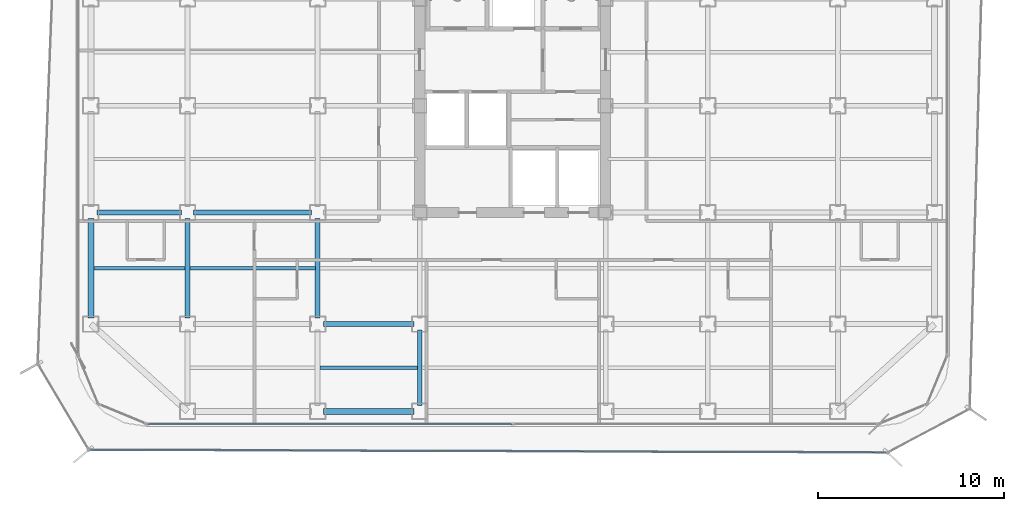
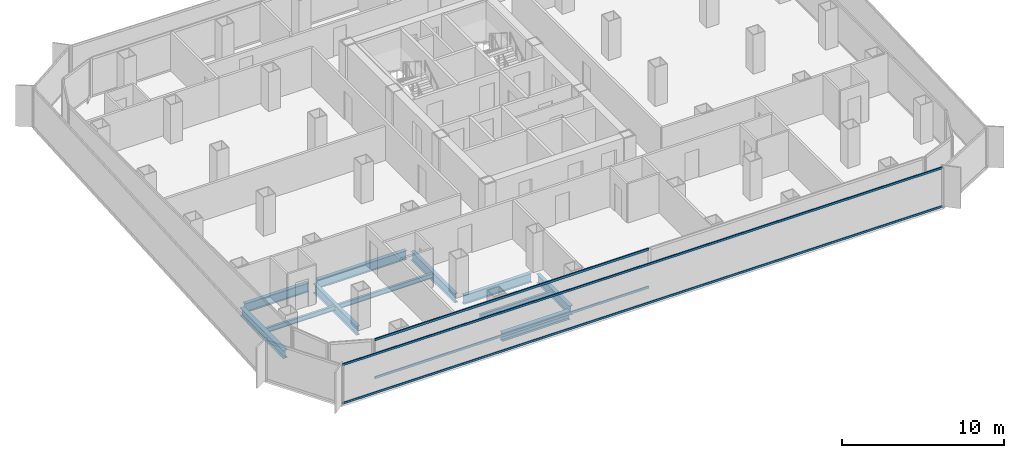
# One storey, part 3 of 21: 11 beams, 4 members, 2 elements without a shape of their own.
"""IFC4 building model written with IfcOpenShell, lengths in metres."""

from ifc_helpers import new_model, si_unit, direction, frame, origin, origin_2d, place, context, subcontext, project, spatial, hollow_rectangle, i_section, extrude, source, transform, mapped, material, layer, layer_set, material_profile, profile_set, type_object, element, aggregate, save


model = new_model("IFC4")

# Units and contexts
model_context = context("Model", 3, precision=1e-05, world=origin(), true_north=direction((0.0, 1.0)))
body_context = subcontext(model_context, "Body", "Model", "MODEL_VIEW")
ifc_project = project(units=[si_unit("LENGTHUNIT", "METRE"), si_unit("AREAUNIT", "SQUARE_METRE"), si_unit("VOLUMEUNIT", "CUBIC_METRE"), si_unit("PLANEANGLEUNIT", "RADIAN"), si_unit("MASSUNIT", "GRAM", prefix="KILO")], contexts=[model_context])

# Site, building, storey
site_placement = place(None, origin())
site = spatial("IfcSite", under=ifc_project, at=site_placement, CompositionType="ELEMENT")
building_placement = place(site_placement, origin())
building = spatial("IfcBuilding", under=site, at=building_placement, Name="Kolveth Station Tower", CompositionType="ELEMENT")
storey_placement = place(building_placement, frame((0.0, 0.0, 124.699951171875)))
storey = spatial("IfcBuildingStorey", under=building, at=storey_placement, Name="L34", CompositionType="ELEMENT", Elevation=124.699951171875)

# Beams
ifc_material_1 = material(Name="Steel S355", Category="steel")
ifc_material_profile_1 = material_profile(ifc_material_1, i_section(OverallWidth=0.323974609375, OverallDepth=0.611083984375, WebThickness=0.0126953125, FlangeThickness=0.01904296875, at=origin_2d()), Name="W610x155")
ifc_profile_set_1 = profile_set([ifc_material_profile_1], Name="Steel S355")
beam_type_1 = type_object("IfcBeamType", Name="Beam_SP2", PredefinedType="SPANDREL", material=ifc_profile_set_1)
shared_shape_1 = source(origin(), body_context, "Body", "SweptSolid", [
    extrude(i_section(OverallWidth=0.323974609375, OverallDepth=0.611083984375, WebThickness=0.0126953125, FlangeThickness=0.01904296875, at=origin_2d()), origin(), (0.0, 0.0, 1.0), 4.85986328125),
])
beam_1_placement = place(storey_placement, frame((13.320068359375, 0.800048828125, -0.555419921875), z_axis=(1.0, 0.0, 0.0), x_axis=(0.0, 1.0, 0.0)))
element("IfcBeam", 1, at=beam_1_placement, inside=storey, type_object=beam_type_1, Name="L34 Perimeter Spandrel BM-L34-PS-2", PredefinedType="SPANDREL", context=body_context, shape_type="MappedRepresentation", body=[
    mapped(shared_shape_1, transform((0.0, 0.0, 0.0), x_axis=(1.0, 0.0, 0.0), y_axis=(0.0, 1.0, 0.0), z_axis=(0.0, 0.0, 1.0), scale=1.0)),
])
shared_shape_2 = source(origin(), body_context, "Body", "SweptSolid", [
    extrude(i_section(OverallWidth=0.323974609375, OverallDepth=0.611083984375, WebThickness=0.0126953125, FlangeThickness=0.01904296875, at=origin_2d()), origin(), (0.0, 0.0, 1.0), 5.35986328125),
])
beam_2_placement = place(storey_placement, frame((0.800048828125, 5.820068359375, -0.555419921875), z_axis=(0.0, 1.0, 0.0), x_axis=(-1.0, 0.0, 0.0)))
element("IfcBeam", 2, at=beam_2_placement, inside=storey, type_object=beam_type_1, Name="L34 Perimeter Spandrel BM-L34-PW-1", PredefinedType="SPANDREL", context=body_context, shape_type="MappedRepresentation", body=[
    mapped(shared_shape_2, transform((0.0, 0.0, 0.0), x_axis=(1.0, 0.0, 0.0), y_axis=(0.0, 1.0, 0.0), z_axis=(0.0, 0.0, 1.0), scale=1.0)),
])
ifc_material_profile_2 = material_profile(ifc_material_1, i_section(OverallWidth=0.25390625, OverallDepth=0.68798828125, WebThickness=0.01318359375, FlangeThickness=0.02099609375, at=origin_2d()), Name="W690x152")
ifc_profile_set_2 = profile_set([ifc_material_profile_2], Name="Steel S355")
beam_type_2 = type_object("IfcBeamType", Name="Beam_B4", PredefinedType="BEAM", material=ifc_profile_set_2)
shared_shape_3 = source(origin(), body_context, "Body", "SweptSolid", [
    extrude(i_section(OverallWidth=0.25390625, OverallDepth=0.68798828125, WebThickness=0.01318359375, FlangeThickness=0.02099609375, at=origin_2d()), origin(), (0.0, 0.0, 1.0), 4.559814453125),
])
beam_3_placement = place(storey_placement, frame((1.1201171875, 11.5, -0.593994140625), z_axis=(1.0, 0.0, 0.0), x_axis=(0.0, 1.0, 0.0)))
element("IfcBeam", 3, at=beam_3_placement, inside=storey, type_object=beam_type_2, Name="L34 Primary Girder BM-L34-GY115-1", PredefinedType="BEAM", context=body_context, shape_type="MappedRepresentation", body=[
    mapped(shared_shape_3, transform((0.0, 0.0, 0.0), x_axis=(1.0, 0.0, 0.0), y_axis=(0.0, 1.0, 0.0), z_axis=(0.0, 0.0, 1.0), scale=1.0)),
])
shared_shape_4 = source(origin(), body_context, "Body", "SweptSolid", [
    extrude(i_section(OverallWidth=0.25390625, OverallDepth=0.68798828125, WebThickness=0.01318359375, FlangeThickness=0.02099609375, at=origin_2d()), origin(), (0.0, 0.0, 1.0), 6.35986328125),
])
beam_4_placement = place(storey_placement, frame((6.320068359375, 11.5, -0.593994140625), z_axis=(1.0, 0.0, 0.0), x_axis=(0.0, 1.0, 0.0)))
element("IfcBeam", 4, at=beam_4_placement, inside=storey, type_object=beam_type_2, Name="L34 Primary Girder BM-L34-GY115-2", PredefinedType="BEAM", context=body_context, shape_type="MappedRepresentation", body=[
    mapped(shared_shape_4, transform((0.0, 0.0, 0.0), x_axis=(1.0, 0.0, 0.0), y_axis=(0.0, 1.0, 0.0), z_axis=(0.0, 0.0, 1.0), scale=1.0)),
])
shared_shape_5 = source(origin(), body_context, "Body", "SweptSolid", [
    extrude(i_section(OverallWidth=0.25390625, OverallDepth=0.68798828125, WebThickness=0.01318359375, FlangeThickness=0.02099609375, at=origin_2d()), origin(), (0.0, 0.0, 1.0), 4.85986328125),
])
beam_5_placement = place(storey_placement, frame((13.320068359375, 5.5, -0.593994140625), z_axis=(1.0, 0.0, 0.0), x_axis=(0.0, 1.0, 0.0)))
element("IfcBeam", 5, at=beam_5_placement, inside=storey, type_object=beam_type_2, Name="L34 Primary Girder BM-L34-GY55-3", PredefinedType="BEAM", context=body_context, shape_type="MappedRepresentation", body=[
    mapped(shared_shape_5, transform((0.0, 0.0, 0.0), x_axis=(1.0, 0.0, 0.0), y_axis=(0.0, 1.0, 0.0), z_axis=(0.0, 0.0, 1.0), scale=1.0)),
])
shared_shape_6 = source(origin(), body_context, "Body", "SweptSolid", [
    extrude(i_section(OverallWidth=0.25390625, OverallDepth=0.68798828125, WebThickness=0.01318359375, FlangeThickness=0.02099609375, at=origin_2d()), origin(), (0.0, 0.0, 1.0), 4.059814453125),
])
beam_6_placement = place(storey_placement, frame((18.5, 1.1201171875, -0.593994140625), z_axis=(0.0, 1.0, 0.0), x_axis=(-1.0, 0.0, 0.0)))
element("IfcBeam", 6, at=beam_6_placement, inside=storey, type_object=beam_type_2, Name="L34 Primary Girder BM-L34-GX185-1", PredefinedType="BEAM", context=body_context, shape_type="MappedRepresentation", body=[
    mapped(shared_shape_6, transform((0.0, 0.0, 0.0), x_axis=(1.0, 0.0, 0.0), y_axis=(0.0, 1.0, 0.0), z_axis=(0.0, 0.0, 1.0), scale=1.0)),
])
shared_shape_7 = source(origin(), body_context, "Body", "SweptSolid", [
    extrude(i_section(OverallWidth=0.25390625, OverallDepth=0.68798828125, WebThickness=0.01318359375, FlangeThickness=0.02099609375, at=origin_2d()), origin(), (0.0, 0.0, 1.0), 5.35986328125),
])
for number, where, z_axis, x_axis, name in (
    (7, (6.0, 5.820068359375, -0.593994140625), (0.0, 1.0, 0.0), (-1.0, 0.0, 0.0), "L34 Primary Girder BM-L34-GX60-2"),
    (8, (13.0, 5.820068359375, -0.593994140625), (0.0, 1.0, 0.0), (-1.0, 0.0, 0.0), "L34 Primary Girder BM-L34-GX130-2"),
):
    element("IfcBeam", number, at=place(storey_placement, frame(where, z_axis=z_axis, x_axis=x_axis)), inside=storey, type_object=beam_type_2, Name=name, PredefinedType="BEAM", context=body_context, shape_type="MappedRepresentation", body=[
        mapped(shared_shape_7, transform((0.0, 0.0, 0.0), x_axis=(1.0, 0.0, 0.0), y_axis=(0.0, 1.0, 0.0), z_axis=(0.0, 0.0, 1.0), scale=1.0)),
    ])
ifc_material_profile_3 = material_profile(ifc_material_1, i_section(OverallWidth=0.1708984375, OverallDepth=0.35205078125, WebThickness=0.0068359375, FlangeThickness=0.009765625, at=origin_2d()), Name="W360x44")
ifc_profile_set_3 = profile_set([ifc_material_profile_3], Name="Steel S355")
beam_type_3 = type_object("IfcBeamType", Name="Beam_J2", PredefinedType="JOIST", material=ifc_profile_set_3)
shared_shape_8 = source(origin(), body_context, "Body", "SweptSolid", [
    extrude(i_section(OverallWidth=0.1708984375, OverallDepth=0.35205078125, WebThickness=0.0068359375, FlangeThickness=0.009765625, at=origin_2d()), origin(), (0.0, 0.0, 1.0), 4.9150390625),
])
beam_7_placement = place(storey_placement, frame((0.9599609375, 8.5, -0.426025390625), z_axis=(1.0, 0.0, 0.0), x_axis=(0.0, 1.0, 0.0)))
element("IfcBeam", 9, at=beam_7_placement, inside=storey, type_object=beam_type_3, Name="L34 Secondary Joist JST-L34-1-2", PredefinedType="JOIST", context=body_context, shape_type="MappedRepresentation", body=[
    mapped(shared_shape_8, transform((0.0, 0.0, 0.0), x_axis=(1.0, 0.0, 0.0), y_axis=(0.0, 1.0, 0.0), z_axis=(0.0, 0.0, 1.0), scale=1.0)),
])
shared_shape_9 = source(origin(), body_context, "Body", "SweptSolid", [
    extrude(i_section(OverallWidth=0.1708984375, OverallDepth=0.35205078125, WebThickness=0.0068359375, FlangeThickness=0.009765625, at=origin_2d()), origin(), (0.0, 0.0, 1.0), 6.75),
])
beam_8_placement = place(storey_placement, frame((6.125, 8.5, -0.426025390625), z_axis=(1.0, 0.0, 0.0), x_axis=(0.0, 1.0, 0.0)))
element("IfcBeam", 10, at=beam_8_placement, inside=storey, type_object=beam_type_3, Name="L34 Secondary Joist JST-L34-2-2", PredefinedType="JOIST", context=body_context, shape_type="MappedRepresentation", body=[
    mapped(shared_shape_9, transform((0.0, 0.0, 0.0), x_axis=(1.0, 0.0, 0.0), y_axis=(0.0, 1.0, 0.0), z_axis=(0.0, 0.0, 1.0), scale=1.0)),
])
shared_shape_10 = source(origin(), body_context, "Body", "SweptSolid", [
    extrude(i_section(OverallWidth=0.1708984375, OverallDepth=0.35205078125, WebThickness=0.0068359375, FlangeThickness=0.009765625, at=origin_2d()), origin(), (0.0, 0.0, 1.0), 5.25),
])
beam_9_placement = place(storey_placement, frame((13.125, 3.14990234375, -0.426025390625), z_axis=(1.0, 0.0, 0.0), x_axis=(0.0, 1.0, 0.0)))
element("IfcBeam", 11, at=beam_9_placement, inside=storey, type_object=beam_type_3, Name="L34 Secondary Joist JST-L34-3-1", PredefinedType="JOIST", context=body_context, shape_type="MappedRepresentation", body=[
    mapped(shared_shape_10, transform((0.0, 0.0, 0.0), x_axis=(1.0, 0.0, 0.0), y_axis=(0.0, 1.0, 0.0), z_axis=(0.0, 0.0, 1.0), scale=1.0)),
])

# Curtain wall, members
ifc_material_2 = material(Name="Black anodized aluminium 6063-T6 and dark solar glass", Category="aluminium")
ifc_layer_1 = layer(ifc_material_2, 0.159912109375)
ifc_layer_set_1 = layer_set([ifc_layer_1], Name="Black anodized aluminium 6063-T6 and dark solar glass")
curtain_wall_type_1 = type_object("IfcCurtainWallType", Name="OUTER SKIN CW-OS", PredefinedType="NOTDEFINED", material=ifc_layer_set_1)
curtain_wall_1_placement = place(storey_placement, origin())
curtain_wall_1 = element("IfcCurtainWall", 12, at=curtain_wall_1_placement, inside=storey, type_object=curtain_wall_type_1, Name="L34 Outer Ventilated Skin Curtain Wall 8", PredefinedType="NOTDEFINED")
ifc_material_3 = material(Name="Black anodized aluminium 6063-T6", Category="aluminium")
ifc_material_profile_4 = material_profile(ifc_material_3, hollow_rectangle(XDim=0.080078125, YDim=0.14990234375, WallThickness=0.0048828125, at=origin_2d()), Name="ALU-80x150x5")
ifc_profile_set_4 = profile_set([ifc_material_profile_4], Name="Black anodized aluminium 6063-T6")
member_type_1 = type_object("IfcMemberType", Name="Transom_TR-OS", PredefinedType="USERDEFINED", material=ifc_profile_set_4)
shared_shape_11 = source(origin(), body_context, "Body", "SweptSolid", [
    extrude(hollow_rectangle(XDim=0.080078125, YDim=0.14990234375, WallThickness=0.0048828125, at=origin_2d()), origin(), (0.0, 0.0, 1.0), 42.799072265625),
])
member_1_placement = place(storey_placement, frame((0.783935546875, -1.267333984375, 0.0400390625), z_axis=(0.999994103755, -0.003434014343, 0.0), x_axis=(0.003434014343, 0.999994103755, 0.0)))
member_1 = element("IfcMember", 13, at=member_1_placement, type_object=member_type_1, Name="CW-OS transom 1.1", ObjectType="TRANSOM", PredefinedType="USERDEFINED", context=body_context, shape_type="MappedRepresentation", body=[
    mapped(shared_shape_11, transform((0.0, 0.0, 0.0), x_axis=(1.0, 0.0, 0.0), y_axis=(0.0, 1.0, 0.0), z_axis=(0.0, 0.0, 1.0), scale=1.0)),
])
member_2_placement = place(storey_placement, frame((0.783935546875, -1.267333984375, 2.949951171875), z_axis=(0.999994103755, -0.003434014343, 0.0), x_axis=(0.003434014343, 0.999994103755, 0.0)))
member_2 = element("IfcMember", 14, at=member_2_placement, type_object=member_type_1, Name="CW-OS transom 1.2", ObjectType="TRANSOM", PredefinedType="USERDEFINED", context=body_context, shape_type="MappedRepresentation", body=[
    mapped(shared_shape_11, transform((0.0, 0.0, 0.0), x_axis=(1.0, 0.0, 0.0), y_axis=(0.0, 1.0, 0.0), z_axis=(0.0, 0.0, 1.0), scale=1.0)),
])
aggregate(curtain_wall_1, [member_1, member_2])

ifc_material_4 = material(Name="Aluminium 6063-T6 and low-E dark glass", Category="aluminium")
ifc_layer_2 = layer(ifc_material_4, 0.18994140625)
ifc_layer_set_2 = layer_set([ifc_layer_2], Name="Aluminium 6063-T6 and low-E dark glass")
curtain_wall_type_2 = type_object("IfcCurtainWallType", Name="CurtainWall_CW-Z2", PredefinedType="NOTDEFINED", material=ifc_layer_set_2)
curtain_wall_2_placement = place(storey_placement, origin())
curtain_wall_2 = element("IfcCurtainWall", 15, at=curtain_wall_2_placement, inside=storey, type_object=curtain_wall_type_2, Name="L34 Inner Thermal Curtain Wall 12", PredefinedType="NOTDEFINED")
ifc_material_profile_5 = material_profile(ifc_material_3, hollow_rectangle(XDim=0.080078125, YDim=0.169921875, WallThickness=0.0048828125, at=origin_2d()), Name="ALU-80x170x5")
ifc_profile_set_5 = profile_set([ifc_material_profile_5], Name="Black anodized aluminium 6063-T6")
member_type_2 = type_object("IfcMemberType", Name="Transom_TR2", PredefinedType="USERDEFINED", material=ifc_profile_set_5)
shared_shape_12 = source(origin(), body_context, "Body", "SweptSolid", [
    extrude(hollow_rectangle(XDim=0.080078125, YDim=0.169921875, WallThickness=0.0048828125, at=origin_2d()), origin(), (0.0, 0.0, 1.0), 19.580078125),
])
member_3_placement = place(storey_placement, frame((3.8798828125, 0.1201171875, 0.0400390625), z_axis=(1.0, 0.0, 0.0), x_axis=(0.0, 1.0, 0.0)))
member_3 = element("IfcMember", 16, at=member_3_placement, type_object=member_type_2, Name="CW-Z2 transom 1.1", ObjectType="TRANSOM", PredefinedType="USERDEFINED", context=body_context, shape_type="MappedRepresentation", body=[
    mapped(shared_shape_12, transform((0.0, 0.0, 0.0), x_axis=(1.0, 0.0, 0.0), y_axis=(0.0, 1.0, 0.0), z_axis=(0.0, 0.0, 1.0), scale=1.0)),
])
member_4_placement = place(storey_placement, frame((3.8798828125, 0.1201171875, 2.91015625), z_axis=(1.0, 0.0, 0.0), x_axis=(0.0, 1.0, 0.0)))
member_4 = element("IfcMember", 17, at=member_4_placement, type_object=member_type_2, Name="CW-Z2 transom 1.2", ObjectType="TRANSOM", PredefinedType="USERDEFINED", context=body_context, shape_type="MappedRepresentation", body=[
    mapped(shared_shape_12, transform((0.0, 0.0, 0.0), x_axis=(1.0, 0.0, 0.0), y_axis=(0.0, 1.0, 0.0), z_axis=(0.0, 0.0, 1.0), scale=1.0)),
])
aggregate(curtain_wall_2, [member_3, member_4])

save(model, "model.ifc")
